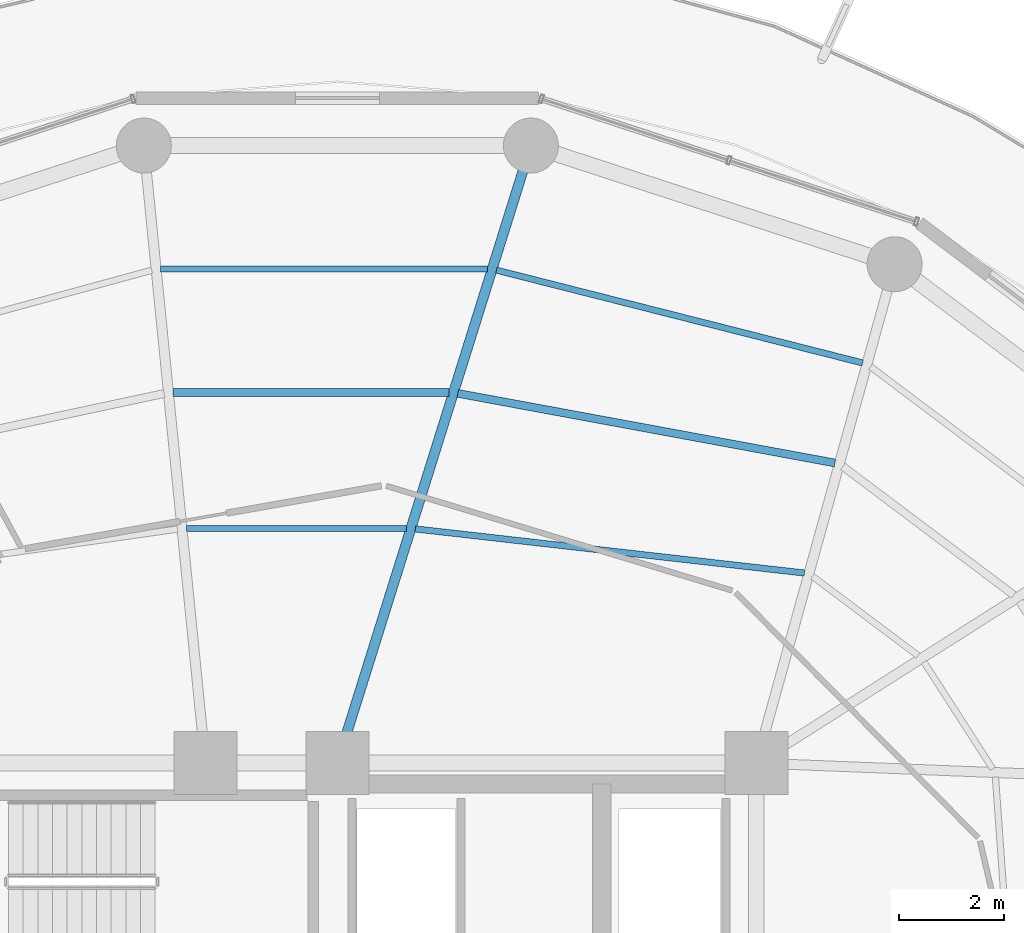
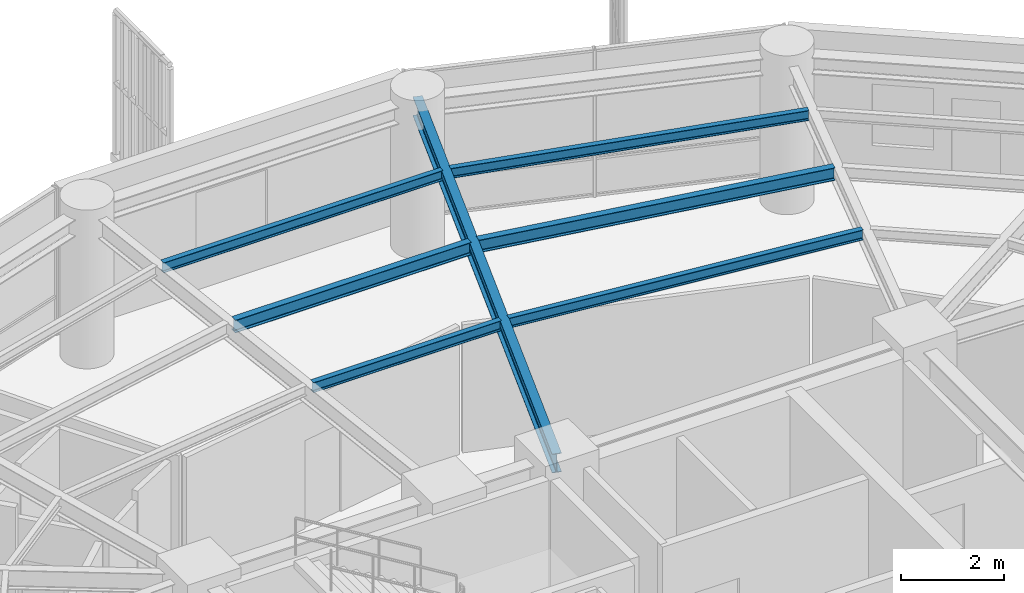
# One storey, part 19 of 31: 7 beams.
"""IFC4 building model written with IfcOpenShell, lengths in metres."""

from ifc_helpers import new_model, si_unit, direction, frame, origin, origin_2d, place, context, subcontext, project, spatial, i_section, extrude, material, material_profile, profile_set, type_object, element, save


model = new_model("IFC4")

# Units and contexts
model_context = context("Model", 3, precision=1e-05, world=origin(), true_north=direction((0.0, 1.0)))
body_context = subcontext(model_context, "Body", "Model", "MODEL_VIEW")
ifc_project = project(units=[si_unit("LENGTHUNIT", "METRE"), si_unit("AREAUNIT", "SQUARE_METRE"), si_unit("VOLUMEUNIT", "CUBIC_METRE"), si_unit("PLANEANGLEUNIT", "RADIAN"), si_unit("MASSUNIT", "GRAM", prefix="KILO")], contexts=[model_context])

# Site, building, storey
site_placement = place(None, origin())
site = spatial("IfcSite", under=ifc_project, at=site_placement, CompositionType="ELEMENT")
building_placement = place(site_placement, origin())
building = spatial("IfcBuilding", under=site, at=building_placement, Name="Kelanora Arch Commons", CompositionType="ELEMENT")
storey_placement = place(building_placement, frame((0.0, 0.0, 193.199951171875)))
storey = spatial("IfcBuildingStorey", under=building, at=storey_placement, Name="L49", CompositionType="ELEMENT", Elevation=193.199951171875)

# Beams
ifc_material = material(Name="Steel S355", Category="steel")
ifc_material_profile_1 = material_profile(ifc_material, i_section(OverallWidth=0.14990234375, OverallDepth=0.300048828125, WebThickness=0.007080078125, FlangeThickness=0.0107421875, FilletRadius=0.014892578125, at=origin_2d()), Name="IPE300")
ifc_profile_set_1 = profile_set([ifc_material_profile_1], Name="Steel S355")
beam_type_1 = type_object("IfcBeamType", Name="BM-JST-01", PredefinedType="JOIST", material=ifc_profile_set_1)
beam_1_placement = place(storey_placement, frame((83.50048828125, 70.729736328125, 3.340087890625), z_axis=(-0.983389964671, 0.181505309519, 0.0), x_axis=(-0.181505309519, -0.983389964671, 0.0)))
element("IfcBeam", 1, at=beam_1_placement, inside=storey, type_object=beam_type_1, Name="Secondary Chord Joist BJB-06 L49", PredefinedType="JOIST", context=body_context, shape_type="SweptSolid", body=[
    extrude(i_section(OverallWidth=0.14990234375, OverallDepth=0.300048828125, WebThickness=0.007080078125, FlangeThickness=0.0107421875, FilletRadius=0.014892578125, at=origin_2d()), origin(), (0.0, 0.0, 1.0), 7.3212890625),
])
beam_2_placement = place(storey_placement, frame((76.132080078125, 72.07421875, 3.340087890625), z_axis=(-1.0, 0.0, 0.0), x_axis=(0.0, -1.0, 0.0)))
element("IfcBeam", 2, at=beam_2_placement, inside=storey, type_object=beam_type_1, Name="Secondary Chord Joist BJB-08 L49", PredefinedType="JOIST", context=body_context, shape_type="SweptSolid", body=[
    extrude(i_section(OverallWidth=0.14990234375, OverallDepth=0.300048828125, WebThickness=0.007080078125, FlangeThickness=0.0107421875, FilletRadius=0.014892578125, at=origin_2d()), origin(), (0.0, 0.0, 1.0), 5.272216796875),
])
ifc_material_profile_2 = material_profile(ifc_material, i_section(OverallWidth=0.1201171875, OverallDepth=0.239990234375, WebThickness=0.006103515625, FlangeThickness=0.009765625, FilletRadius=0.014892578125, at=origin_2d()), Name="IPE240")
ifc_profile_set_2 = profile_set([ifc_material_profile_2], Name="Steel S355")
beam_type_2 = type_object("IfcBeamType", Name="BM-JST-02", PredefinedType="JOIST", material=ifc_profile_set_2)
beam_3_placement = place(storey_placement, frame((82.918701171875, 68.628662109375, 3.3701171875), z_axis=(-0.993639672263, 0.11260640171, 0.0), x_axis=(-0.11260640171, -0.993639672263, 0.0)))
element("IfcBeam", 3, at=beam_3_placement, inside=storey, type_object=beam_type_2, Name="Secondary Chord Joist BJA-06 L49", PredefinedType="JOIST", context=body_context, shape_type="SweptSolid", body=[
    extrude(i_section(OverallWidth=0.1201171875, OverallDepth=0.239990234375, WebThickness=0.006103515625, FlangeThickness=0.009765625, FilletRadius=0.014892578125, at=origin_2d()), origin(), (0.0, 0.0, 1.0), 7.477783203125),
])
beam_4_placement = place(storey_placement, frame((84.029541015625, 72.639892578125, 3.3701171875), z_axis=(-0.969370989998, 0.245601066263, 0.0), x_axis=(-0.245601066263, -0.969370989998, 0.0)))
element("IfcBeam", 4, at=beam_4_placement, inside=storey, type_object=beam_type_2, Name="Secondary Chord Joist BJC-06 L49", PredefinedType="JOIST", context=body_context, shape_type="SweptSolid", body=[
    extrude(i_section(OverallWidth=0.1201171875, OverallDepth=0.239990234375, WebThickness=0.006103515625, FlangeThickness=0.009765625, FilletRadius=0.014892578125, at=origin_2d()), origin(), (0.0, 0.0, 1.0), 7.2119140625),
])
beam_5_placement = place(storey_placement, frame((75.319091796875, 69.480224609375, 3.3701171875), z_axis=(-1.0, 0.0, 0.0), x_axis=(0.0, -1.0, 0.0)))
element("IfcBeam", 5, at=beam_5_placement, inside=storey, type_object=beam_type_2, Name="Secondary Chord Joist BJA-08 L49", PredefinedType="JOIST", context=body_context, shape_type="SweptSolid", body=[
    extrude(i_section(OverallWidth=0.1201171875, OverallDepth=0.239990234375, WebThickness=0.006103515625, FlangeThickness=0.009765625, FilletRadius=0.014892578125, at=origin_2d()), origin(), (0.0, 0.0, 1.0), 4.20068359375),
])
beam_6_placement = place(storey_placement, frame((76.87109375, 74.43212890625, 3.3701171875), z_axis=(-1.0, 0.0, 0.0), x_axis=(0.0, -1.0, 0.0)))
element("IfcBeam", 6, at=beam_6_placement, inside=storey, type_object=beam_type_2, Name="Secondary Chord Joist BJC-08 L49", PredefinedType="JOIST", context=body_context, shape_type="SweptSolid", body=[
    extrude(i_section(OverallWidth=0.1201171875, OverallDepth=0.239990234375, WebThickness=0.006103515625, FlangeThickness=0.009765625, FilletRadius=0.014892578125, at=origin_2d()), origin(), (0.0, 0.0, 1.0), 6.246337890625),
])
ifc_material_profile_3 = material_profile(ifc_material, i_section(OverallWidth=0.18994140625, OverallDepth=0.449951171875, WebThickness=0.009521484375, FlangeThickness=0.0146484375, FilletRadius=0.02099609375, at=origin_2d()), Name="IPE450")
ifc_profile_set_3 = profile_set([ifc_material_profile_3], Name="Steel S355")
beam_type_3 = type_object("IfcBeamType", Name="BM-RAD-Z4", PredefinedType="BEAM", material=ifc_profile_set_3)
beam_7_placement = place(storey_placement, frame((74.0, 65.0, 3.26513671875), z_axis=(0.299080457492, 0.954227897279, 0.0), x_axis=(-0.954227897279, 0.299080457492, 0.0)))
element("IfcBeam", 7, at=beam_7_placement, inside=storey, type_object=beam_type_3, Name="Radial Floor Girder BR-08 L49", PredefinedType="BEAM", context=body_context, shape_type="SweptSolid", body=[
    extrude(i_section(OverallWidth=0.18994140625, OverallDepth=0.449951171875, WebThickness=0.009521484375, FlangeThickness=0.0146484375, FilletRadius=0.02099609375, at=origin_2d()), origin(), (0.0, 0.0, 1.0), 12.35546875),
])

save(model, "model.ifc")
